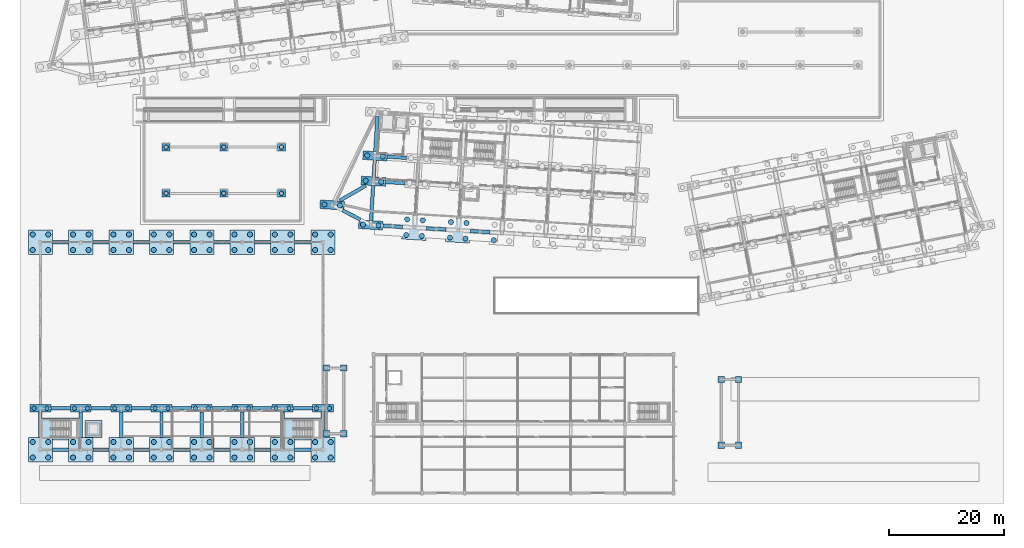
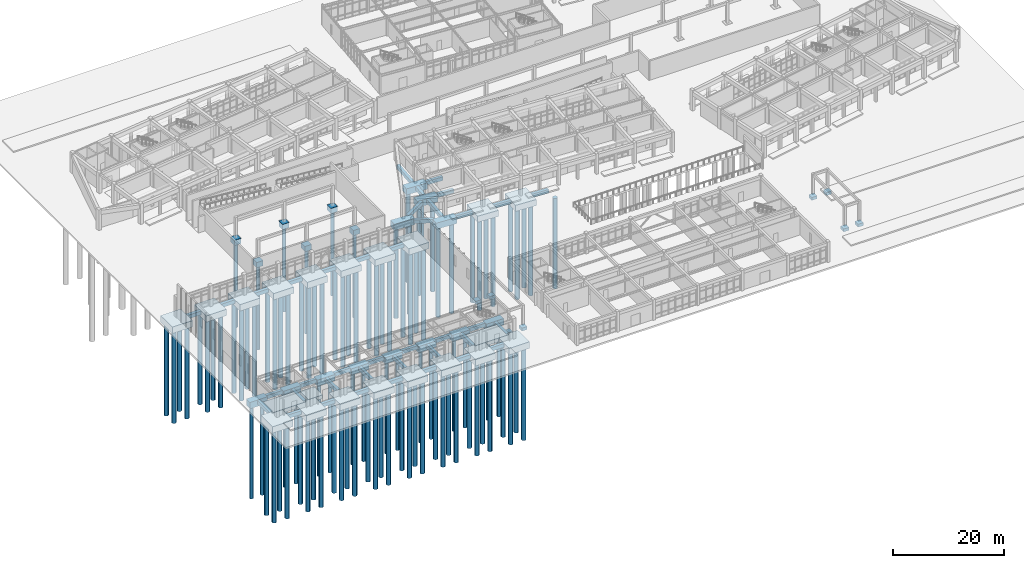
# One storey, part 1 of 154: 103 piles, 86 footings.
"""IFC4 building model written with IfcOpenShell, lengths in metres."""

from ifc_helpers import new_model, si_unit, direction, frame, origin, origin_2d, place, context, subcontext, project, spatial, rectangle, circle, extrude, material, material_profile, profile_set, type_object, element, save


model = new_model("IFC4")

# Units and contexts
model_context = context("Model", 3, precision=1e-05, world=origin(), true_north=direction((0.0, 1.0)))
body_context = subcontext(model_context, "Body", "Model", "MODEL_VIEW")
ifc_project = project(units=[si_unit("LENGTHUNIT", "METRE"), si_unit("AREAUNIT", "SQUARE_METRE"), si_unit("VOLUMEUNIT", "CUBIC_METRE"), si_unit("PLANEANGLEUNIT", "RADIAN"), si_unit("MASSUNIT", "GRAM", prefix="KILO")], contexts=[model_context])

# Site, building, storey
site_placement = place(None, origin())
site = spatial("IfcSite", under=ifc_project, at=site_placement, CompositionType="ELEMENT")
building_placement = place(site_placement, origin())
building = spatial("IfcBuilding", under=site, at=building_placement, Name="Kestramere Prow Commons", CompositionType="ELEMENT")
storey_placement = place(building_placement, origin())
storey = spatial("IfcBuildingStorey", under=building, at=storey_placement, Name="L00", CompositionType="ELEMENT", Elevation=0.0)

# Piles
ifc_material = material(Name="Concrete C35/45", Category="concrete")
ifc_material_profile_1 = material_profile(ifc_material, circle(Radius=0.375, at=origin_2d()), Name="BORED PILE D750")
ifc_profile_set_1 = profile_set([ifc_material_profile_1], Name="Concrete C35/45")
pile_type_1 = type_object("IfcPileType", Name="BP-750 BORED PILE D750", PredefinedType="BORED", material=ifc_profile_set_1)
for number, where, z_axis, x_axis, name in (
    (1, (1.074951171875, 14.699951171875, -1.64990234375), (0.0, 0.0, -1.0), (1.0, 0.0, 0.0), "Bored pile FC-HL-0-1-P1"),
    (2, (3.324951171875, 14.699951171875, -1.64990234375), (0.0, 0.0, -1.0), (1.0, 0.0, 0.0), "Bored pile FC-HL-0-1-P2"),
    (3, (8.074951171875, 14.699951171875, -1.64990234375), (0.0, 0.0, -1.0), (1.0, 0.0, 0.0), "Bored pile FC-HL-1-1-P1"),
    (4, (10.324951171875, 14.699951171875, -1.64990234375), (0.0, 0.0, -1.0), (1.0, 0.0, 0.0), "Bored pile FC-HL-1-1-P2"),
    (5, (15.074951171875, 14.699951171875, -1.64990234375), (0.0, 0.0, -1.0), (1.0, 0.0, 0.0), "Bored pile FC-HL-2-1-P1"),
    (6, (17.324951171875, 14.699951171875, -1.64990234375), (0.0, 0.0, -1.0), (1.0, 0.0, 0.0), "Bored pile FC-HL-2-1-P2"),
    (7, (22.074951171875, 14.699951171875, -1.64990234375), (0.0, 0.0, -1.0), (1.0, 0.0, 0.0), "Bored pile FC-HL-3-1-P1"),
    (8, (24.324951171875, 14.699951171875, -1.64990234375), (0.0, 0.0, -1.0), (1.0, 0.0, 0.0), "Bored pile FC-HL-3-1-P2"),
    (9, (29.074951171875, 14.699951171875, -1.64990234375), (0.0, 0.0, -1.0), (1.0, 0.0, 0.0), "Bored pile FC-HL-4-1-P1"),
    (10, (31.324951171875, 14.699951171875, -1.64990234375), (0.0, 0.0, -1.0), (1.0, 0.0, 0.0), "Bored pile FC-HL-4-1-P2"),
    (11, (36.074951171875, 14.699951171875, -1.64990234375), (0.0, 0.0, -1.0), (1.0, 0.0, 0.0), "Bored pile FC-HL-5-1-P1"),
    (12, (38.324951171875, 14.699951171875, -1.64990234375), (0.0, 0.0, -1.0), (1.0, 0.0, 0.0), "Bored pile FC-HL-5-1-P2"),
    (13, (43.074951171875, 14.699951171875, -1.64990234375), (0.0, 0.0, -1.0), (1.0, 0.0, 0.0), "Bored pile FC-HL-6-1-P1"),
    (14, (45.324951171875, 14.699951171875, -1.64990234375), (0.0, 0.0, -1.0), (1.0, 0.0, 0.0), "Bored pile FC-HL-6-1-P2"),
    (15, (50.074951171875, 14.699951171875, -1.64990234375), (0.0, 0.0, -1.0), (1.0, 0.0, 0.0), "Bored pile FC-HL-7-1-P1"),
    (16, (52.324951171875, 14.699951171875, -1.64990234375), (0.0, 0.0, -1.0), (1.0, 0.0, 0.0), "Bored pile FC-HL-7-1-P2"),
):
    element("IfcPile", number, at=place(storey_placement, frame(where, z_axis=z_axis, x_axis=x_axis)), inside=storey, type_object=pile_type_1, Name=name, PredefinedType="BORED", context=body_context, shape_type="SweptSolid", body=[
        extrude(circle(Radius=0.375, at=origin_2d()), origin(), (0.0, 0.0, 1.0), 20.199951171875),
    ])
for number, where, z_axis, x_axis, name in (
    (17, (24.0, 52.0, -1.39990234375), (0.0, 0.0, -1.0), (1.0, 0.0, 0.0), "Bored pile FC-CRT-24-52-P1"),
    (18, (34.0, 52.0, -1.39990234375), (0.0, 0.0, -1.0), (1.0, 0.0, 0.0), "Bored pile FC-CRT-34-52-P1"),
    (19, (44.0, 52.0, -1.39990234375), (0.0, 0.0, -1.0), (1.0, 0.0, 0.0), "Bored pile FC-CRT-44-52-P1"),
    (20, (24.0, 60.0, -1.39990234375), (0.0, 0.0, -1.0), (1.0, 0.0, 0.0), "Bored pile FC-CRT-24-60-P1"),
    (21, (34.0, 60.0, -1.39990234375), (0.0, 0.0, -1.0), (1.0, 0.0, 0.0), "Bored pile FC-CRT-34-60-P1"),
    (22, (44.0, 60.0, -1.39990234375), (0.0, 0.0, -1.0), (1.0, 0.0, 0.0), "Bored pile FC-CRT-44-60-P1"),
):
    element("IfcPile", number, at=place(storey_placement, frame(where, z_axis=z_axis, x_axis=x_axis)), inside=storey, type_object=pile_type_1, Name=name, PredefinedType="BORED", context=body_context, shape_type="SweptSolid", body=[
        extrude(circle(Radius=0.375, at=origin_2d()), origin(), (0.0, 0.0, 1.0), 18.5),
    ])
ifc_material_profile_2 = material_profile(ifc_material, circle(Radius=0.449951171875, at=origin_2d()), Name="BORED PILE D900")
ifc_profile_set_2 = profile_set([ifc_material_profile_2], Name="Concrete C35/45")
pile_type_2 = type_object("IfcPileType", Name="BP-900 BORED PILE D900", PredefinedType="BORED", material=ifc_profile_set_2)
for number, where, z_axis, x_axis, name in (
    (23, (58.152587890625, 46.58251953125, -1.60009765625), (0.0, 0.0, -1.0), (1.0, 0.0, 0.0), "Bored pile FC-C-0-0-P1"),
    (24, (60.847412109375, 46.41748046875, -1.60009765625), (0.0, 0.0, -1.0), (1.0, 0.0, 0.0), "Bored pile FC-C-0-0-P2"),
    (25, (58.616455078125, 54.168212890625, -1.60009765625), (0.0, 0.0, -1.0), (1.0, 0.0, 0.0), "Bored pile FC-C-0-1-P1"),
    (26, (61.3115234375, 54.00341796875, -1.60009765625), (0.0, 0.0, -1.0), (1.0, 0.0, 0.0), "Bored pile FC-C-0-1-P2"),
    (27, (58.885009765625, 58.56005859375, -1.60009765625), (0.0, 0.0, -1.0), (1.0, 0.0, 0.0), "Bored pile FC-C-0-2-P1"),
    (28, (61.580078125, 58.395263671875, -1.60009765625), (0.0, 0.0, -1.0), (1.0, 0.0, 0.0), "Bored pile FC-C-0-2-P2"),
    (29, (65.656005859375, 44.77099609375, -1.60009765625), (0.0, 0.0, -1.0), (1.0, 0.0, 0.0), "Bored pile FC-C-1-0-P1"),
    (30, (68.350830078125, 44.606201171875, -1.60009765625), (0.0, 0.0, -1.0), (1.0, 0.0, 0.0), "Bored pile FC-C-1-0-P2"),
    (31, (65.82080078125, 47.4658203125, -1.60009765625), (0.0, 0.0, -1.0), (1.0, 0.0, 0.0), "Bored pile FC-C-1-0-P3"),
    (32, (68.515625, 47.301025390625, -1.60009765625), (0.0, 0.0, -1.0), (1.0, 0.0, 0.0), "Bored pile FC-C-1-0-P4"),
    (33, (73.24169921875, 44.306884765625, -1.60009765625), (0.0, 0.0, -1.0), (1.0, 0.0, 0.0), "Bored pile FC-C-2-0-P1"),
    (34, (75.936767578125, 44.14208984375, -1.60009765625), (0.0, 0.0, -1.0), (1.0, 0.0, 0.0), "Bored pile FC-C-2-0-P2"),
    (35, (73.406494140625, 47.001953125, -1.60009765625), (0.0, 0.0, -1.0), (1.0, 0.0, 0.0), "Bored pile FC-C-2-0-P3"),
    (36, (76.1015625, 46.837158203125, -1.60009765625), (0.0, 0.0, -1.0), (1.0, 0.0, 0.0), "Bored pile FC-C-2-0-P4"),
    (37, (80.82763671875, 43.843017578125, -1.60009765625), (0.0, 0.0, -1.0), (1.0, 0.0, 0.0), "Bored pile FC-C-3-0-P1"),
    (38, (51.45166015625, 50.0478515625, -1.60009765625), (0.0, 0.0, -1.0), (1.0, 0.0, 0.0), "Bored pile FC-C-PROW-P1"),
    (39, (54.146484375, 49.883056640625, -1.60009765625), (0.0, 0.0, -1.0), (1.0, 0.0, 0.0), "Bored pile FC-C-PROW-P2"),
):
    element("IfcPile", number, at=place(storey_placement, frame(where, z_axis=z_axis, x_axis=x_axis)), inside=storey, type_object=pile_type_2, Name=name, PredefinedType="BORED", context=body_context, shape_type="SweptSolid", body=[
        extrude(circle(Radius=0.449951171875, at=origin_2d()), origin(), (0.0, 0.0, 1.0), 19.800048828125),
    ])
for number, where, z_axis, x_axis, name in (
    (40, (0.85009765625, 6.14990234375, -1.64990234375), (0.0, 0.0, -1.0), (1.0, 0.0, 0.0), "Bored pile FC-HL-0-0-P1"),
    (41, (3.550048828125, 6.14990234375, -1.64990234375), (0.0, 0.0, -1.0), (1.0, 0.0, 0.0), "Bored pile FC-HL-0-0-P2"),
    (42, (0.85009765625, 8.85009765625, -1.64990234375), (0.0, 0.0, -1.0), (1.0, 0.0, 0.0), "Bored pile FC-HL-0-0-P3"),
    (43, (3.550048828125, 8.85009765625, -1.64990234375), (0.0, 0.0, -1.0), (1.0, 0.0, 0.0), "Bored pile FC-HL-0-0-P4"),
    (44, (0.85009765625, 42.14990234375, -1.64990234375), (0.0, 0.0, -1.0), (1.0, 0.0, 0.0), "Bored pile FC-HL-0-2-P1"),
    (45, (3.550048828125, 42.14990234375, -1.64990234375), (0.0, 0.0, -1.0), (1.0, 0.0, 0.0), "Bored pile FC-HL-0-2-P2"),
    (46, (0.85009765625, 44.85009765625, -1.64990234375), (0.0, 0.0, -1.0), (1.0, 0.0, 0.0), "Bored pile FC-HL-0-2-P3"),
    (47, (3.550048828125, 44.85009765625, -1.64990234375), (0.0, 0.0, -1.0), (1.0, 0.0, 0.0), "Bored pile FC-HL-0-2-P4"),
    (48, (7.85009765625, 6.14990234375, -1.64990234375), (0.0, 0.0, -1.0), (1.0, 0.0, 0.0), "Bored pile FC-HL-1-0-P1"),
    (49, (10.550048828125, 6.14990234375, -1.64990234375), (0.0, 0.0, -1.0), (1.0, 0.0, 0.0), "Bored pile FC-HL-1-0-P2"),
    (50, (7.85009765625, 8.85009765625, -1.64990234375), (0.0, 0.0, -1.0), (1.0, 0.0, 0.0), "Bored pile FC-HL-1-0-P3"),
    (51, (10.550048828125, 8.85009765625, -1.64990234375), (0.0, 0.0, -1.0), (1.0, 0.0, 0.0), "Bored pile FC-HL-1-0-P4"),
    (52, (7.85009765625, 42.14990234375, -1.64990234375), (0.0, 0.0, -1.0), (1.0, 0.0, 0.0), "Bored pile FC-HL-1-2-P1"),
    (53, (10.550048828125, 42.14990234375, -1.64990234375), (0.0, 0.0, -1.0), (1.0, 0.0, 0.0), "Bored pile FC-HL-1-2-P2"),
    (54, (7.85009765625, 44.85009765625, -1.64990234375), (0.0, 0.0, -1.0), (1.0, 0.0, 0.0), "Bored pile FC-HL-1-2-P3"),
    (55, (10.550048828125, 44.85009765625, -1.64990234375), (0.0, 0.0, -1.0), (1.0, 0.0, 0.0), "Bored pile FC-HL-1-2-P4"),
    (56, (14.85009765625, 6.14990234375, -1.64990234375), (0.0, 0.0, -1.0), (1.0, 0.0, 0.0), "Bored pile FC-HL-2-0-P1"),
    (57, (17.550048828125, 6.14990234375, -1.64990234375), (0.0, 0.0, -1.0), (1.0, 0.0, 0.0), "Bored pile FC-HL-2-0-P2"),
    (58, (14.85009765625, 8.85009765625, -1.64990234375), (0.0, 0.0, -1.0), (1.0, 0.0, 0.0), "Bored pile FC-HL-2-0-P3"),
    (59, (17.550048828125, 8.85009765625, -1.64990234375), (0.0, 0.0, -1.0), (1.0, 0.0, 0.0), "Bored pile FC-HL-2-0-P4"),
    (60, (14.85009765625, 42.14990234375, -1.64990234375), (0.0, 0.0, -1.0), (1.0, 0.0, 0.0), "Bored pile FC-HL-2-2-P1"),
    (61, (17.550048828125, 42.14990234375, -1.64990234375), (0.0, 0.0, -1.0), (1.0, 0.0, 0.0), "Bored pile FC-HL-2-2-P2"),
    (62, (14.85009765625, 44.85009765625, -1.64990234375), (0.0, 0.0, -1.0), (1.0, 0.0, 0.0), "Bored pile FC-HL-2-2-P3"),
    (63, (17.550048828125, 44.85009765625, -1.64990234375), (0.0, 0.0, -1.0), (1.0, 0.0, 0.0), "Bored pile FC-HL-2-2-P4"),
    (64, (21.85009765625, 6.14990234375, -1.64990234375), (0.0, 0.0, -1.0), (1.0, 0.0, 0.0), "Bored pile FC-HL-3-0-P1"),
    (65, (24.550048828125, 6.14990234375, -1.64990234375), (0.0, 0.0, -1.0), (1.0, 0.0, 0.0), "Bored pile FC-HL-3-0-P2"),
    (66, (21.85009765625, 8.85009765625, -1.64990234375), (0.0, 0.0, -1.0), (1.0, 0.0, 0.0), "Bored pile FC-HL-3-0-P3"),
    (67, (24.550048828125, 8.85009765625, -1.64990234375), (0.0, 0.0, -1.0), (1.0, 0.0, 0.0), "Bored pile FC-HL-3-0-P4"),
    (68, (21.85009765625, 42.14990234375, -1.64990234375), (0.0, 0.0, -1.0), (1.0, 0.0, 0.0), "Bored pile FC-HL-3-2-P1"),
    (69, (24.550048828125, 42.14990234375, -1.64990234375), (0.0, 0.0, -1.0), (1.0, 0.0, 0.0), "Bored pile FC-HL-3-2-P2"),
    (70, (21.85009765625, 44.85009765625, -1.64990234375), (0.0, 0.0, -1.0), (1.0, 0.0, 0.0), "Bored pile FC-HL-3-2-P3"),
    (71, (24.550048828125, 44.85009765625, -1.64990234375), (0.0, 0.0, -1.0), (1.0, 0.0, 0.0), "Bored pile FC-HL-3-2-P4"),
    (72, (28.85009765625, 6.14990234375, -1.64990234375), (0.0, 0.0, -1.0), (1.0, 0.0, 0.0), "Bored pile FC-HL-4-0-P1"),
    (73, (31.550048828125, 6.14990234375, -1.64990234375), (0.0, 0.0, -1.0), (1.0, 0.0, 0.0), "Bored pile FC-HL-4-0-P2"),
    (74, (28.85009765625, 8.85009765625, -1.64990234375), (0.0, 0.0, -1.0), (1.0, 0.0, 0.0), "Bored pile FC-HL-4-0-P3"),
    (75, (31.550048828125, 8.85009765625, -1.64990234375), (0.0, 0.0, -1.0), (1.0, 0.0, 0.0), "Bored pile FC-HL-4-0-P4"),
    (76, (28.85009765625, 42.14990234375, -1.64990234375), (0.0, 0.0, -1.0), (1.0, 0.0, 0.0), "Bored pile FC-HL-4-2-P1"),
    (77, (31.550048828125, 42.14990234375, -1.64990234375), (0.0, 0.0, -1.0), (1.0, 0.0, 0.0), "Bored pile FC-HL-4-2-P2"),
    (78, (28.85009765625, 44.85009765625, -1.64990234375), (0.0, 0.0, -1.0), (1.0, 0.0, 0.0), "Bored pile FC-HL-4-2-P3"),
    (79, (31.550048828125, 44.85009765625, -1.64990234375), (0.0, 0.0, -1.0), (1.0, 0.0, 0.0), "Bored pile FC-HL-4-2-P4"),
    (80, (35.85009765625, 6.14990234375, -1.64990234375), (0.0, 0.0, -1.0), (1.0, 0.0, 0.0), "Bored pile FC-HL-5-0-P1"),
    (81, (38.550048828125, 6.14990234375, -1.64990234375), (0.0, 0.0, -1.0), (1.0, 0.0, 0.0), "Bored pile FC-HL-5-0-P2"),
    (82, (35.85009765625, 8.85009765625, -1.64990234375), (0.0, 0.0, -1.0), (1.0, 0.0, 0.0), "Bored pile FC-HL-5-0-P3"),
    (83, (38.550048828125, 8.85009765625, -1.64990234375), (0.0, 0.0, -1.0), (1.0, 0.0, 0.0), "Bored pile FC-HL-5-0-P4"),
    (84, (35.85009765625, 42.14990234375, -1.64990234375), (0.0, 0.0, -1.0), (1.0, 0.0, 0.0), "Bored pile FC-HL-5-2-P1"),
    (85, (38.550048828125, 42.14990234375, -1.64990234375), (0.0, 0.0, -1.0), (1.0, 0.0, 0.0), "Bored pile FC-HL-5-2-P2"),
    (86, (35.85009765625, 44.85009765625, -1.64990234375), (0.0, 0.0, -1.0), (1.0, 0.0, 0.0), "Bored pile FC-HL-5-2-P3"),
    (87, (38.550048828125, 44.85009765625, -1.64990234375), (0.0, 0.0, -1.0), (1.0, 0.0, 0.0), "Bored pile FC-HL-5-2-P4"),
    (88, (42.85009765625, 6.14990234375, -1.64990234375), (0.0, 0.0, -1.0), (1.0, 0.0, 0.0), "Bored pile FC-HL-6-0-P1"),
    (89, (45.550048828125, 6.14990234375, -1.64990234375), (0.0, 0.0, -1.0), (1.0, 0.0, 0.0), "Bored pile FC-HL-6-0-P2"),
    (90, (42.85009765625, 8.85009765625, -1.64990234375), (0.0, 0.0, -1.0), (1.0, 0.0, 0.0), "Bored pile FC-HL-6-0-P3"),
    (91, (45.550048828125, 8.85009765625, -1.64990234375), (0.0, 0.0, -1.0), (1.0, 0.0, 0.0), "Bored pile FC-HL-6-0-P4"),
    (92, (42.85009765625, 42.14990234375, -1.64990234375), (0.0, 0.0, -1.0), (1.0, 0.0, 0.0), "Bored pile FC-HL-6-2-P1"),
    (93, (45.550048828125, 42.14990234375, -1.64990234375), (0.0, 0.0, -1.0), (1.0, 0.0, 0.0), "Bored pile FC-HL-6-2-P2"),
    (94, (42.85009765625, 44.85009765625, -1.64990234375), (0.0, 0.0, -1.0), (1.0, 0.0, 0.0), "Bored pile FC-HL-6-2-P3"),
    (95, (45.550048828125, 44.85009765625, -1.64990234375), (0.0, 0.0, -1.0), (1.0, 0.0, 0.0), "Bored pile FC-HL-6-2-P4"),
    (96, (49.85009765625, 6.14990234375, -1.64990234375), (0.0, 0.0, -1.0), (1.0, 0.0, 0.0), "Bored pile FC-HL-7-0-P1"),
    (97, (52.550048828125, 6.14990234375, -1.64990234375), (0.0, 0.0, -1.0), (1.0, 0.0, 0.0), "Bored pile FC-HL-7-0-P2"),
    (98, (49.85009765625, 8.85009765625, -1.64990234375), (0.0, 0.0, -1.0), (1.0, 0.0, 0.0), "Bored pile FC-HL-7-0-P3"),
    (99, (52.550048828125, 8.85009765625, -1.64990234375), (0.0, 0.0, -1.0), (1.0, 0.0, 0.0), "Bored pile FC-HL-7-0-P4"),
    (100, (49.85009765625, 42.14990234375, -1.64990234375), (0.0, 0.0, -1.0), (1.0, 0.0, 0.0), "Bored pile FC-HL-7-2-P1"),
    (101, (52.550048828125, 42.14990234375, -1.64990234375), (0.0, 0.0, -1.0), (1.0, 0.0, 0.0), "Bored pile FC-HL-7-2-P2"),
    (102, (49.85009765625, 44.85009765625, -1.64990234375), (0.0, 0.0, -1.0), (1.0, 0.0, 0.0), "Bored pile FC-HL-7-2-P3"),
    (103, (52.550048828125, 44.85009765625, -1.64990234375), (0.0, 0.0, -1.0), (1.0, 0.0, 0.0), "Bored pile FC-HL-7-2-P4"),
):
    element("IfcPile", number, at=place(storey_placement, frame(where, z_axis=z_axis, x_axis=x_axis)), inside=storey, type_object=pile_type_2, Name=name, PredefinedType="BORED", context=body_context, shape_type="SweptSolid", body=[
        extrude(circle(Radius=0.449951171875, at=origin_2d()), origin(), (0.0, 0.0, 1.0), 20.199951171875),
    ])

# Footings
footing_type_1 = type_object("IfcFootingType", Name="FT-BRIDGE-PAD", PredefinedType="PAD_FOOTING", material=ifc_material)
for number, where, z_axis, x_axis, name in (
    (104, (51.800048828125, 10.300048828125, -1.0), (0.0, 0.0, 1.0), (1.0, 0.0, 0.0), "Canopy WEST Pad Footing 1-1"),
    (105, (51.800048828125, 21.699951171875, -1.0), (0.0, 0.0, 1.0), (1.0, 0.0, 0.0), "Canopy WEST Pad Footing 1-2"),
    (106, (54.800048828125, 10.300048828125, -1.0), (0.0, 0.0, 1.0), (1.0, 0.0, 0.0), "Canopy WEST Pad Footing 2-1"),
    (107, (54.800048828125, 21.699951171875, -1.0), (0.0, 0.0, 1.0), (1.0, 0.0, 0.0), "Canopy WEST Pad Footing 2-2"),
    (108, (120.300048828125, 8.300048828125, -1.0), (0.0, 0.0, 1.0), (1.0, 0.0, 0.0), "Canopy EAST Pad Footing 1-1"),
    (109, (120.300048828125, 19.699951171875, -1.0), (0.0, 0.0, 1.0), (1.0, 0.0, 0.0), "Canopy EAST Pad Footing 1-2"),
    (110, (123.300048828125, 8.300048828125, -1.0), (0.0, 0.0, 1.0), (1.0, 0.0, 0.0), "Canopy EAST Pad Footing 2-1"),
    (111, (123.300048828125, 19.699951171875, -1.0), (0.0, 0.0, 1.0), (1.0, 0.0, 0.0), "Canopy EAST Pad Footing 2-2"),
):
    element("IfcFooting", number, at=place(storey_placement, frame(where, z_axis=z_axis, x_axis=x_axis)), inside=storey, type_object=footing_type_1, Name=name, PredefinedType="PAD_FOOTING", context=body_context, shape_type="SweptSolid", body=[
        extrude(rectangle(XDim=1.10009765625, YDim=1.10009765625, at=origin_2d()), origin(), (0.0, 0.0, 1.0), 0.64990234375),
    ])
footing_type_2 = type_object("IfcFootingType", Name="FT-CORE-STRIP", PredefinedType="STRIP_FOOTING", material=ifc_material)
for number, where, z_axis, x_axis, name in (
    (112, (5.675048828125, 11.125, -1.14990234375), (0.0, 0.0, 1.0), (1.0, 0.0, 0.0), "ST-H1 Footing"),
    (113, (47.72509765625, 11.125, -1.14990234375), (0.0, 0.0, 1.0), (1.0, 0.0, 0.0), "ST-H2 Footing"),
):
    element("IfcFooting", number, at=place(storey_placement, frame(where, z_axis=z_axis, x_axis=x_axis)), inside=storey, type_object=footing_type_2, Name=name, PredefinedType="STRIP_FOOTING", context=body_context, shape_type="SweptSolid", body=[
        extrude(rectangle(XDim=7.050048828125, YDim=3.85009765625, at=origin_2d()), origin(), (0.0, 0.0, 1.0), 0.800048828125),
    ])
footing_1_placement = place(storey_placement, frame((11.39990234375, 11.10009765625, -1.14990234375), z_axis=(0.0, 0.0, 1.0), x_axis=(1.0, 0.0, 0.0)))
element("IfcFooting", 114, at=footing_1_placement, inside=storey, type_object=footing_type_2, Name="PL-H1 Lift Footing", PredefinedType="STRIP_FOOTING", context=body_context, shape_type="SweptSolid", body=[
    extrude(rectangle(XDim=3.0, YDim=3.0, at=origin_2d()), origin(), (0.0, 0.0, 1.0), 0.800048828125),
])
footing_type_3 = type_object("IfcFootingType", Name="GB-04 600x800 L3400", PredefinedType="FOOTING_BEAM", material=ifc_material)
for number, where, z_axis, x_axis, name in (
    (115, (63.29296875, 46.26806640625, -1.14990234375), (0.0, 0.0, 1.0), (0.998134798422, -0.061048539535, 0.0), "Foundation ground beam GBU-C-0-0"),
    (116, (63.7568359375, 53.853759765625, -1.14990234375), (0.0, 0.0, 1.0), (0.998134798422, -0.061048539535, 0.0), "Foundation ground beam GBU-C-0-1"),
    (117, (64.025390625, 58.24560546875, -1.14990234375), (0.0, 0.0, 1.0), (0.998134798422, -0.061048539535, 0.0), "Foundation ground beam GBU-C-0-2"),
    (118, (70.878662109375, 45.803955078125, -1.14990234375), (0.0, 0.0, 1.0), (0.998134798422, -0.061048539535, 0.0), "Foundation ground beam GBU-C-1-0"),
    (119, (78.464599609375, 45.340087890625, -1.14990234375), (0.0, 0.0, 1.0), (0.998134798422, -0.061048539535, 0.0), "Foundation ground beam GBU-C-2-0"),
    (120, (5.699951171875, 14.699951171875, -1.14990234375), (0.0, 0.0, 1.0), (1.0, 0.0, 0.0), "Foundation ground beam GBU-HL-0-1"),
    (121, (12.699951171875, 14.699951171875, -1.14990234375), (0.0, 0.0, 1.0), (1.0, 0.0, 0.0), "Foundation ground beam GBU-HL-1-1"),
    (122, (19.699951171875, 14.699951171875, -1.14990234375), (0.0, 0.0, 1.0), (1.0, 0.0, 0.0), "Foundation ground beam GBU-HL-2-1"),
    (123, (26.699951171875, 14.699951171875, -1.14990234375), (0.0, 0.0, 1.0), (1.0, 0.0, 0.0), "Foundation ground beam GBU-HL-3-1"),
    (124, (33.699951171875, 14.699951171875, -1.14990234375), (0.0, 0.0, 1.0), (1.0, 0.0, 0.0), "Foundation ground beam GBU-HL-4-1"),
    (125, (40.699951171875, 14.699951171875, -1.14990234375), (0.0, 0.0, 1.0), (1.0, 0.0, 0.0), "Foundation ground beam GBU-HL-5-1"),
    (126, (47.699951171875, 14.699951171875, -1.14990234375), (0.0, 0.0, 1.0), (1.0, 0.0, 0.0), "Foundation ground beam GBU-HL-6-1"),
):
    element("IfcFooting", number, at=place(storey_placement, frame(where, z_axis=z_axis, x_axis=x_axis)), inside=storey, type_object=footing_type_3, Name=name, PredefinedType="FOOTING_BEAM", context=body_context, shape_type="SweptSolid", body=[
        extrude(rectangle(XDim=3.39990234375, YDim=0.60009765625, at=origin_2d()), origin(), (0.0, 0.0, 1.0), 0.800048828125),
    ])
footing_type_4 = type_object("IfcFootingType", Name="GB-15 600x800 L3470", PredefinedType="FOOTING_BEAM", material=ifc_material)
footing_2_placement = place(storey_placement, frame((56.1494140625, 48.232666015625, -1.14990234375), z_axis=(0.0, 0.0, 1.0), x_axis=(0.888242304842, -0.459375236478, 0.0)))
element("IfcFooting", 127, at=footing_2_placement, inside=storey, type_object=footing_type_4, Name="Foundation ground beam GBP-C-0", PredefinedType="FOOTING_BEAM", context=body_context, shape_type="SweptSolid", body=[
    extrude(rectangle(XDim=3.473876953125, YDim=0.60009765625, at=origin_2d()), origin(), (0.0, 0.0, 1.0), 0.800048828125),
])
footing_type_5 = type_object("IfcFootingType", Name="GB-16 600x800 L5180", PredefinedType="FOOTING_BEAM", material=ifc_material)
footing_3_placement = place(storey_placement, frame((56.381591796875, 52.025634765625, -1.14990234375), z_axis=(0.0, 0.0, 1.0), x_axis=(0.866881958125, 0.498513460879, 0.0)))
element("IfcFooting", 128, at=footing_3_placement, inside=storey, type_object=footing_type_5, Name="Foundation ground beam GBP-C-1", PredefinedType="FOOTING_BEAM", context=body_context, shape_type="SweptSolid", body=[
    extrude(rectangle(XDim=5.180419921875, YDim=0.60009765625, at=origin_2d()), origin(), (0.0, 0.0, 1.0), 0.800048828125),
])
footing_type_6 = type_object("IfcFootingType", Name="GB-17 600x800 L6100", PredefinedType="FOOTING_BEAM", material=ifc_material)
for number, where, z_axis, x_axis, name in (
    (129, (59.73193359375, 50.29296875, -1.14990234375), (0.0, 0.0, 1.0), (0.061048539535, 0.998134798422, 0.0), "Foundation ground beam GBV-C-0-0"),
    (130, (60.464599609375, 62.2705078125, -1.14990234375), (0.0, 0.0, 1.0), (0.061048539535, 0.998134798422, 0.0), "Foundation ground beam GBV-C-0-2"),
):
    element("IfcFooting", number, at=place(storey_placement, frame(where, z_axis=z_axis, x_axis=x_axis)), inside=storey, type_object=footing_type_6, Name=name, PredefinedType="FOOTING_BEAM", context=body_context, shape_type="SweptSolid", body=[
        extrude(rectangle(XDim=6.10009765625, YDim=0.60009765625, at=origin_2d()), origin(), (0.0, 0.0, 1.0), 0.800048828125),
    ])
footing_type_7 = type_object("IfcFootingType", Name="GB-18 600x800 L2900", PredefinedType="FOOTING_BEAM", material=ifc_material)
footing_4_placement = place(storey_placement, frame((60.098388671875, 56.28173828125, -1.14990234375), z_axis=(0.0, 0.0, 1.0), x_axis=(0.061048539535, 0.998134798422, 0.0)))
element("IfcFooting", 131, at=footing_4_placement, inside=storey, type_object=footing_type_7, Name="Foundation ground beam GBV-C-0-1", PredefinedType="FOOTING_BEAM", context=body_context, shape_type="SweptSolid", body=[
    extrude(rectangle(XDim=2.89990234375, YDim=0.60009765625, at=origin_2d()), origin(), (0.0, 0.0, 1.0), 0.800048828125),
])
footing_type_8 = type_object("IfcFootingType", Name="GB-24 600x800 L2800", PredefinedType="FOOTING_BEAM", material=ifc_material)
for number, where, z_axis, x_axis, name in (
    (132, (5.699951171875, 7.5, -1.14990234375), (0.0, 0.0, 1.0), (1.0, 0.0, 0.0), "Foundation ground beam GBU-HL-0-0"),
    (133, (5.699951171875, 43.5, -1.14990234375), (0.0, 0.0, 1.0), (1.0, 0.0, 0.0), "Foundation ground beam GBU-HL-0-2"),
    (134, (12.699951171875, 7.5, -1.14990234375), (0.0, 0.0, 1.0), (1.0, 0.0, 0.0), "Foundation ground beam GBU-HL-1-0"),
    (135, (12.699951171875, 43.5, -1.14990234375), (0.0, 0.0, 1.0), (1.0, 0.0, 0.0), "Foundation ground beam GBU-HL-1-2"),
    (136, (19.699951171875, 7.5, -1.14990234375), (0.0, 0.0, 1.0), (1.0, 0.0, 0.0), "Foundation ground beam GBU-HL-2-0"),
    (137, (19.699951171875, 43.5, -1.14990234375), (0.0, 0.0, 1.0), (1.0, 0.0, 0.0), "Foundation ground beam GBU-HL-2-2"),
    (138, (26.699951171875, 7.5, -1.14990234375), (0.0, 0.0, 1.0), (1.0, 0.0, 0.0), "Foundation ground beam GBU-HL-3-0"),
    (139, (26.699951171875, 43.5, -1.14990234375), (0.0, 0.0, 1.0), (1.0, 0.0, 0.0), "Foundation ground beam GBU-HL-3-2"),
    (140, (33.699951171875, 7.5, -1.14990234375), (0.0, 0.0, 1.0), (1.0, 0.0, 0.0), "Foundation ground beam GBU-HL-4-0"),
    (141, (33.699951171875, 43.5, -1.14990234375), (0.0, 0.0, 1.0), (1.0, 0.0, 0.0), "Foundation ground beam GBU-HL-4-2"),
    (142, (40.699951171875, 7.5, -1.14990234375), (0.0, 0.0, 1.0), (1.0, 0.0, 0.0), "Foundation ground beam GBU-HL-5-0"),
    (143, (40.699951171875, 43.5, -1.14990234375), (0.0, 0.0, 1.0), (1.0, 0.0, 0.0), "Foundation ground beam GBU-HL-5-2"),
    (144, (47.699951171875, 7.5, -1.14990234375), (0.0, 0.0, 1.0), (1.0, 0.0, 0.0), "Foundation ground beam GBU-HL-6-0"),
    (145, (47.699951171875, 43.5, -1.14990234375), (0.0, 0.0, 1.0), (1.0, 0.0, 0.0), "Foundation ground beam GBU-HL-6-2"),
):
    element("IfcFooting", number, at=place(storey_placement, frame(where, z_axis=z_axis, x_axis=x_axis)), inside=storey, type_object=footing_type_8, Name=name, PredefinedType="FOOTING_BEAM", context=body_context, shape_type="SweptSolid", body=[
        extrude(rectangle(XDim=2.800048828125, YDim=0.60009765625, at=origin_2d()), origin(), (0.0, 0.0, 1.0), 0.800048828125),
    ])
footing_type_9 = type_object("IfcFootingType", Name="GB-25 600x800 L4420", PredefinedType="FOOTING_BEAM", material=ifc_material)
for number, where, z_axis, x_axis, name in (
    (146, (2.199951171875, 11.8125, -1.14990234375), (0.0, 0.0, 1.0), (0.0, 1.0, 0.0), "Foundation ground beam GBV-HL-0-0"),
    (147, (9.199951171875, 11.8125, -1.14990234375), (0.0, 0.0, 1.0), (0.0, 1.0, 0.0), "Foundation ground beam GBV-HL-1-0"),
    (148, (16.199951171875, 11.8125, -1.14990234375), (0.0, 0.0, 1.0), (0.0, 1.0, 0.0), "Foundation ground beam GBV-HL-2-0"),
    (149, (23.199951171875, 11.8125, -1.14990234375), (0.0, 0.0, 1.0), (0.0, 1.0, 0.0), "Foundation ground beam GBV-HL-3-0"),
    (150, (30.199951171875, 11.8125, -1.14990234375), (0.0, 0.0, 1.0), (0.0, 1.0, 0.0), "Foundation ground beam GBV-HL-4-0"),
    (151, (37.199951171875, 11.8125, -1.14990234375), (0.0, 0.0, 1.0), (0.0, 1.0, 0.0), "Foundation ground beam GBV-HL-5-0"),
    (152, (44.199951171875, 11.8125, -1.14990234375), (0.0, 0.0, 1.0), (0.0, 1.0, 0.0), "Foundation ground beam GBV-HL-6-0"),
    (153, (51.199951171875, 11.8125, -1.14990234375), (0.0, 0.0, 1.0), (0.0, 1.0, 0.0), "Foundation ground beam GBV-HL-7-0"),
):
    element("IfcFooting", number, at=place(storey_placement, frame(where, z_axis=z_axis, x_axis=x_axis)), inside=storey, type_object=footing_type_9, Name=name, PredefinedType="FOOTING_BEAM", context=body_context, shape_type="SweptSolid", body=[
        extrude(rectangle(XDim=4.425048828125, YDim=0.60009765625, at=origin_2d()), origin(), (0.0, 0.0, 1.0), 0.800048828125),
    ])
footing_type_10 = type_object("IfcFootingType", Name="PC-07 4200x1500x1350", PredefinedType="PILE_CAP", material=ifc_material)
for number, where, z_axis, x_axis, name in (
    (154, (59.5, 46.5, -1.699951171875), (0.0, 0.0, 1.0), (0.998134798422, -0.061048539535, 0.0), "Pile cap FC-C-0-0"),
    (155, (59.9638671875, 54.0859375, -1.699951171875), (0.0, 0.0, 1.0), (0.998134798422, -0.061048539535, 0.0), "Pile cap FC-C-0-1"),
    (156, (60.232666015625, 58.4775390625, -1.699951171875), (0.0, 0.0, 1.0), (0.998134798422, -0.061048539535, 0.0), "Pile cap FC-C-0-2"),
    (157, (52.799072265625, 49.965576171875, -1.699951171875), (0.0, 0.0, 1.0), (0.998134798422, -0.061048539535, 0.0), "Pile cap FC-C-PROW"),
):
    element("IfcFooting", number, at=place(storey_placement, frame(where, z_axis=z_axis, x_axis=x_axis)), inside=storey, type_object=footing_type_10, Name=name, PredefinedType="PILE_CAP", context=body_context, shape_type="SweptSolid", body=[
        extrude(rectangle(XDim=4.199951171875, YDim=1.5, at=origin_2d()), origin(), (0.0, 0.0, 1.0), 1.35009765625),
    ])
footing_type_11 = type_object("IfcFootingType", Name="PC-08 4200x4200x1350", PredefinedType="PILE_CAP", material=ifc_material)
for number, where, z_axis, x_axis, name in (
    (158, (67.0859375, 46.0361328125, -1.699951171875), (0.0, 0.0, 1.0), (0.998134798422, -0.061048539535, 0.0), "Pile cap FC-C-1-0"),
    (159, (74.671630859375, 45.572021484375, -1.699951171875), (0.0, 0.0, 1.0), (0.998134798422, -0.061048539535, 0.0), "Pile cap FC-C-2-0"),
):
    element("IfcFooting", number, at=place(storey_placement, frame(where, z_axis=z_axis, x_axis=x_axis)), inside=storey, type_object=footing_type_11, Name=name, PredefinedType="PILE_CAP", context=body_context, shape_type="SweptSolid", body=[
        extrude(rectangle(XDim=4.199951171875, YDim=4.199951171875, at=origin_2d()), origin(), (0.0, 0.0, 1.0), 1.35009765625),
    ])
footing_type_12 = type_object("IfcFootingType", Name="PC-12 4200x4200x1400", PredefinedType="PILE_CAP", material=ifc_material)
for number, where, z_axis, x_axis, name in (
    (160, (2.199951171875, 7.5, -1.75), (0.0, 0.0, 1.0), (1.0, 0.0, 0.0), "Pile cap FC-HL-0-0"),
    (161, (2.199951171875, 43.5, -1.75), (0.0, 0.0, 1.0), (1.0, 0.0, 0.0), "Pile cap FC-HL-0-2"),
    (162, (9.199951171875, 7.5, -1.75), (0.0, 0.0, 1.0), (1.0, 0.0, 0.0), "Pile cap FC-HL-1-0"),
    (163, (9.199951171875, 43.5, -1.75), (0.0, 0.0, 1.0), (1.0, 0.0, 0.0), "Pile cap FC-HL-1-2"),
    (164, (16.199951171875, 7.5, -1.75), (0.0, 0.0, 1.0), (1.0, 0.0, 0.0), "Pile cap FC-HL-2-0"),
    (165, (16.199951171875, 43.5, -1.75), (0.0, 0.0, 1.0), (1.0, 0.0, 0.0), "Pile cap FC-HL-2-2"),
    (166, (23.199951171875, 7.5, -1.75), (0.0, 0.0, 1.0), (1.0, 0.0, 0.0), "Pile cap FC-HL-3-0"),
    (167, (23.199951171875, 43.5, -1.75), (0.0, 0.0, 1.0), (1.0, 0.0, 0.0), "Pile cap FC-HL-3-2"),
    (168, (30.199951171875, 7.5, -1.75), (0.0, 0.0, 1.0), (1.0, 0.0, 0.0), "Pile cap FC-HL-4-0"),
    (169, (30.199951171875, 43.5, -1.75), (0.0, 0.0, 1.0), (1.0, 0.0, 0.0), "Pile cap FC-HL-4-2"),
    (170, (37.199951171875, 7.5, -1.75), (0.0, 0.0, 1.0), (1.0, 0.0, 0.0), "Pile cap FC-HL-5-0"),
    (171, (37.199951171875, 43.5, -1.75), (0.0, 0.0, 1.0), (1.0, 0.0, 0.0), "Pile cap FC-HL-5-2"),
    (172, (44.199951171875, 7.5, -1.75), (0.0, 0.0, 1.0), (1.0, 0.0, 0.0), "Pile cap FC-HL-6-0"),
    (173, (44.199951171875, 43.5, -1.75), (0.0, 0.0, 1.0), (1.0, 0.0, 0.0), "Pile cap FC-HL-6-2"),
    (174, (51.199951171875, 7.5, -1.75), (0.0, 0.0, 1.0), (1.0, 0.0, 0.0), "Pile cap FC-HL-7-0"),
    (175, (51.199951171875, 43.5, -1.75), (0.0, 0.0, 1.0), (1.0, 0.0, 0.0), "Pile cap FC-HL-7-2"),
):
    element("IfcFooting", number, at=place(storey_placement, frame(where, z_axis=z_axis, x_axis=x_axis)), inside=storey, type_object=footing_type_12, Name=name, PredefinedType="PILE_CAP", context=body_context, shape_type="SweptSolid", body=[
        extrude(rectangle(XDim=4.199951171875, YDim=4.199951171875, at=origin_2d()), origin(), (0.0, 0.0, 1.0), 1.39990234375),
    ])
footing_type_13 = type_object("IfcFootingType", Name="PC-13 3600x1350x1400", PredefinedType="PILE_CAP", material=ifc_material)
for number, where, z_axis, x_axis, name in (
    (176, (2.199951171875, 14.699951171875, -1.75), (0.0, 0.0, 1.0), (1.0, 0.0, 0.0), "Pile cap FC-HL-0-1"),
    (177, (9.199951171875, 14.699951171875, -1.75), (0.0, 0.0, 1.0), (1.0, 0.0, 0.0), "Pile cap FC-HL-1-1"),
    (178, (16.199951171875, 14.699951171875, -1.75), (0.0, 0.0, 1.0), (1.0, 0.0, 0.0), "Pile cap FC-HL-2-1"),
    (179, (23.199951171875, 14.699951171875, -1.75), (0.0, 0.0, 1.0), (1.0, 0.0, 0.0), "Pile cap FC-HL-3-1"),
    (180, (30.199951171875, 14.699951171875, -1.75), (0.0, 0.0, 1.0), (1.0, 0.0, 0.0), "Pile cap FC-HL-4-1"),
    (181, (37.199951171875, 14.699951171875, -1.75), (0.0, 0.0, 1.0), (1.0, 0.0, 0.0), "Pile cap FC-HL-5-1"),
    (182, (44.199951171875, 14.699951171875, -1.75), (0.0, 0.0, 1.0), (1.0, 0.0, 0.0), "Pile cap FC-HL-6-1"),
    (183, (51.199951171875, 14.699951171875, -1.75), (0.0, 0.0, 1.0), (1.0, 0.0, 0.0), "Pile cap FC-HL-7-1"),
):
    element("IfcFooting", number, at=place(storey_placement, frame(where, z_axis=z_axis, x_axis=x_axis)), inside=storey, type_object=footing_type_13, Name=name, PredefinedType="PILE_CAP", context=body_context, shape_type="SweptSolid", body=[
        extrude(rectangle(XDim=3.60009765625, YDim=1.35009765625, at=origin_2d()), origin(), (0.0, 0.0, 1.0), 1.39990234375),
    ])
footing_type_14 = type_object("IfcFootingType", Name="PC-17 1350x1350x1150", PredefinedType="PILE_CAP", material=ifc_material)
for number, where, z_axis, x_axis, name in (
    (184, (24.0, 52.0, -1.5), (0.0, 0.0, 1.0), (1.0, 0.0, 0.0), "Pile cap FC-CRT-24-52"),
    (185, (34.0, 52.0, -1.5), (0.0, 0.0, 1.0), (1.0, 0.0, 0.0), "Pile cap FC-CRT-34-52"),
    (186, (44.0, 52.0, -1.5), (0.0, 0.0, 1.0), (1.0, 0.0, 0.0), "Pile cap FC-CRT-44-52"),
    (187, (24.0, 60.0, -1.5), (0.0, 0.0, 1.0), (1.0, 0.0, 0.0), "Pile cap FC-CRT-24-60"),
    (188, (34.0, 60.0, -1.5), (0.0, 0.0, 1.0), (1.0, 0.0, 0.0), "Pile cap FC-CRT-34-60"),
    (189, (44.0, 60.0, -1.5), (0.0, 0.0, 1.0), (1.0, 0.0, 0.0), "Pile cap FC-CRT-44-60"),
):
    element("IfcFooting", number, at=place(storey_placement, frame(where, z_axis=z_axis, x_axis=x_axis)), inside=storey, type_object=footing_type_14, Name=name, PredefinedType="PILE_CAP", context=body_context, shape_type="SweptSolid", body=[
        extrude(rectangle(XDim=1.35009765625, YDim=1.35009765625, at=origin_2d()), origin(), (0.0, 0.0, 1.0), 1.14990234375),
    ])

save(model, "model.ifc")
